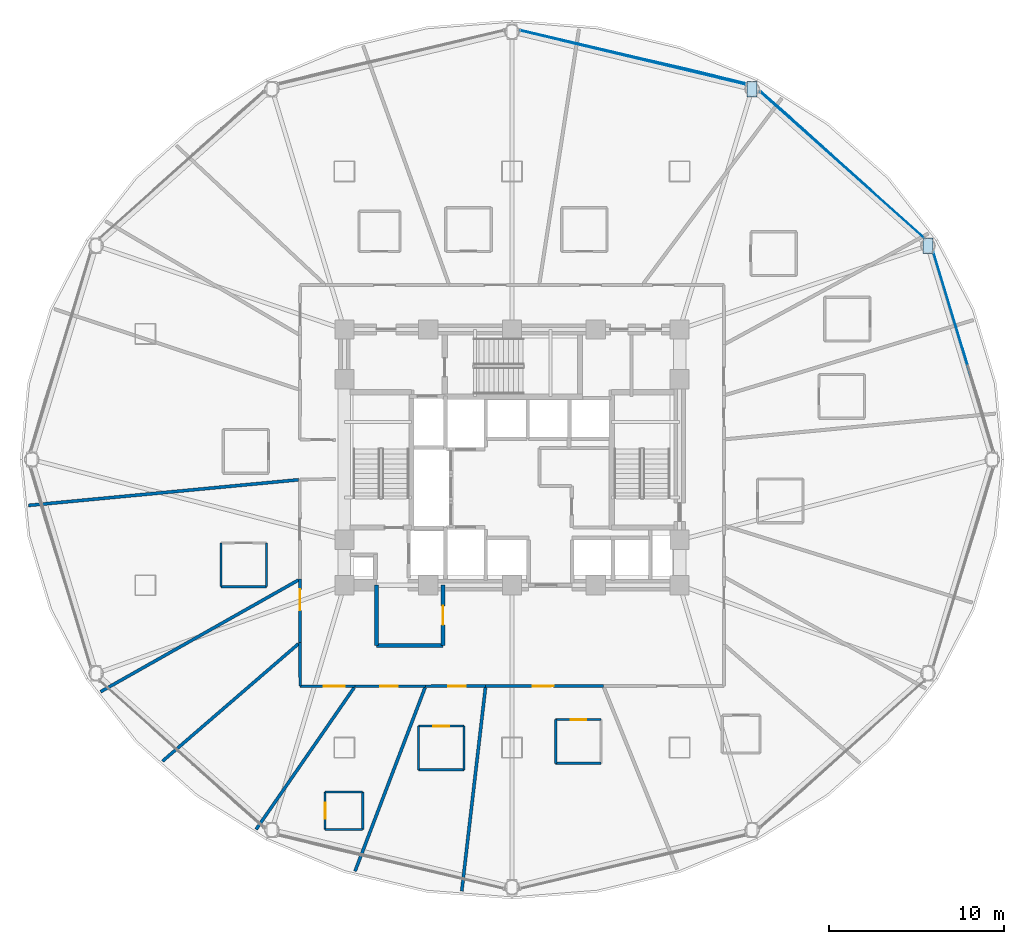
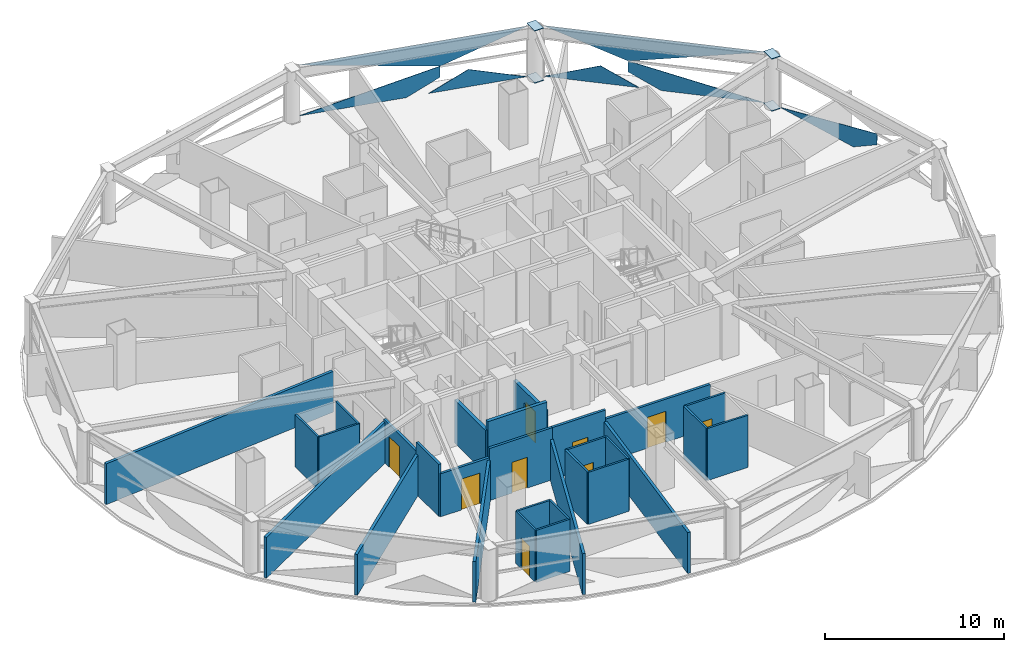
# One storey, part 21 of 30: 29 walls, 11 plates, 9 doors, 9 openings, 3 elements without a shape of their own.
"""IFC4 building model written with IfcOpenShell, lengths in metres."""

from ifc_helpers import new_model, si_unit, direction, frame, frame_2d, origin, place, context, subcontext, project, spatial, polyline, rectangle, outline, extrude, material, layer, layer_set, type_object, element, fill, aggregate, save


model = new_model("IFC4")

# Units and contexts
model_context = context("Model", 3, precision=1e-05, world=origin(), true_north=direction((0.0, 1.0)))
body_context = subcontext(model_context, "Body", "Model", "MODEL_VIEW")
ifc_project = project(units=[si_unit("LENGTHUNIT", "METRE"), si_unit("AREAUNIT", "SQUARE_METRE"), si_unit("VOLUMEUNIT", "CUBIC_METRE"), si_unit("PLANEANGLEUNIT", "RADIAN"), si_unit("MASSUNIT", "GRAM", prefix="KILO")], contexts=[model_context])

# Site, building, storey
site_placement = place(None, origin())
site = spatial("IfcSite", under=ifc_project, at=site_placement, CompositionType="ELEMENT")
building_placement = place(site_placement, origin())
building = spatial("IfcBuilding", under=site, at=building_placement, Name="Vantalir Tower", CompositionType="ELEMENT")
storey_placement = place(building_placement, frame((0.0, 0.0, 83.25)))
storey = spatial("IfcBuildingStorey", under=building, at=storey_placement, Name="L20", CompositionType="ELEMENT", Elevation=83.25)

# Curtain wall, plate
ifc_material_1 = material(Name="Champagne-silver PVDF aluminium and double-silver Low-E glass", Category="aluminium")
ifc_layer_1 = layer(ifc_material_1, 0.18994140625)
ifc_layer_set_1 = layer_set([ifc_layer_1], Name="Champagne-silver PVDF aluminium and double-silver Low-E glass")
curtain_wall_type = type_object("IfcCurtainWallType", Name="CW-DIAMOND-Z1", PredefinedType="USERDEFINED", material=ifc_layer_set_1)
curtain_wall_1_placement = place(storey_placement, origin())
curtain_wall_1 = element("IfcCurtainWall", 1, at=curtain_wall_1_placement, inside=storey, type_object=curtain_wall_type, Name="L20 Quilted Pyramid-Diamond Curtain Wall S01", ObjectType="UNITISED CURTAIN WALL", PredefinedType="USERDEFINED")
ifc_material_2 = material(Name="Double-silver Low-E laminated glass IGU", Category="glass")
ifc_layer_2 = layer(ifc_material_2, 0.028076171875)
ifc_layer_set_2 = layer_set([ifc_layer_2], Name="Double-silver Low-E laminated glass IGU")
plate_type_1 = type_object("IfcPlateType", Name="CWP-IGU-28", PredefinedType="CURTAIN_PANEL", material=ifc_layer_set_2)
plate_1_placement = place(storey_placement, frame((57.23095703125, 31.517578125, 0.04638671875), z_axis=(-0.957578742178, -0.287846468105, 0.013688072475), x_axis=(-0.287873440575, 0.957668461531, -2.09266e-07)))
plate_1 = element("IfcPlate", 2, at=plate_1_placement, type_object=plate_type_1, Name="CW-L20-S01 Pyramid Diamond Facet 1L", PredefinedType="CURTAIN_PANEL", context=body_context, shape_type="SweptSolid", body=[
    extrude(outline(polyline([(0.0, 0.0), (5.597064399587824, 6.938893903907228e-18), (-1.788829022005973, -1.727212222603705), (-1.7885894680065146, -0.9937438981254719), (0.0, 0.0)])), origin(), (0.0, 0.0, -1.0), 0.028076171875),
])
aggregate(curtain_wall_1, [plate_1])

# Curtain wall, plates
curtain_wall_2_placement = place(storey_placement, origin())
curtain_wall_2 = element("IfcCurtainWall", 3, at=curtain_wall_2_placement, inside=storey, type_object=curtain_wall_type, Name="L20 Quilted Pyramid-Diamond Curtain Wall S02", ObjectType="UNITISED CURTAIN WALL", PredefinedType="USERDEFINED")
plate_2_placement = place(storey_placement, frame((55.117919921875, 37.664794921875, 0.04638671875), z_axis=(-0.665413720799, -0.746346969178, 0.01381237749), x_axis=(-0.746418173633, 0.665477204771, 4.696e-08)))
plate_2 = element("IfcPlate", 4, at=plate_2_placement, type_object=plate_type_1, Name="CW-L20-S02 Pyramid Diamond Facet 1L", PredefinedType="CURTAIN_PANEL", context=body_context, shape_type="SweptSolid", body=[
    extrude(outline(polyline([(0.0, 0.0), (5.930358135075642, 6.938893903907228e-18), (7.8095279131649065, -0.9905726449986574), (7.809462050423596, -1.7274596253965182), (0.0, 0.0)])), origin(), (0.0, 0.0, -1.0), 0.028076171875),
])
plate_3_placement = place(storey_placement, frame((49.768798828125, 42.476806640625, 0.0458984375), z_axis=(-0.665405108948, -0.746355021701, 0.013792119775), x_axis=(-0.746425603867, 0.665468869188, 4.5101245e-05)))
plate_3 = element("IfcPlate", 5, at=plate_3_placement, type_object=plate_type_1, Name="CW-L20-S02 Pyramid Diamond Facet 1L Infill Light", PredefinedType="CURTAIN_PANEL", context=body_context, shape_type="SweptSolid", body=[
    extrude(outline(polyline([(0.0, 0.0), (5.41316820165072, -1.599198204416119e-18), (2.1965663180227155, -1.1579700589344415), (0.0, 0.0)])), origin(), (0.0, 0.0, -1.0), 0.028076171875),
])
plate_4_placement = place(storey_placement, frame((45.70703125, 46.055419921875, 3.5234375), z_axis=(0.665424845169, 0.746338025674, 0.013759609903), x_axis=(0.74640850916, -0.665488044279, 1.9363595e-05)))
plate_4 = element("IfcPlate", 6, at=plate_4_placement, type_object=plate_type_1, Name="CW-L20-S02 Pyramid Diamond Facet 2U", PredefinedType="CURTAIN_PANEL", context=body_context, shape_type="SweptSolid", body=[
    extrude(outline(polyline([(0.0, 0.0), (12.608228009702824, -2.211772431870429e-17), (4.798732249241381, 1.727307222853719), (0.0, 0.0)])), origin(), (0.0, 0.0, -1.0), 0.028076171875),
])
aggregate(curtain_wall_2, [plate_2, plate_3, plate_4])

curtain_wall_3_placement = place(storey_placement, origin())
curtain_wall_3 = element("IfcCurtainWall", 7, at=curtain_wall_3_placement, inside=storey, type_object=curtain_wall_type, Name="L20 Quilted Pyramid-Diamond Curtain Wall S03", ObjectType="UNITISED CURTAIN WALL", PredefinedType="USERDEFINED")
plate_5_placement = place(storey_placement, frame((38.047607421875, 48.12109375, 0.04638671875), z_axis=(-0.232281713056, -0.972552925951, 0.013638621756), x_axis=(-0.972643514802, 0.232302801509, -3.9043328e-05)))
plate_5 = element("IfcPlate", 8, at=plate_5_placement, type_object=plate_type_1, Name="CW-L20-S03 Pyramid Diamond Facet 1L", PredefinedType="CURTAIN_PANEL", context=body_context, shape_type="SweptSolid", body=[
    extrude(outline(polyline([(0.0, 0.0), (6.246823008812021, 4.1470733097570545e-18), (-1.9736324664793066, -1.7276226933881977), (-1.973735191324312, -0.9924471318850434), (0.0, 0.0)])), origin(), (0.0, 0.0, -1.0), 0.028076171875),
])
plate_6_placement = place(storey_placement, frame((44.880859375, 46.521728515625, 0.0458984375), z_axis=(-0.232310272364, -0.972545196224, 0.01370323522), x_axis=(-0.972636520701, 0.232332086892, 0.0)))
plate_6 = element("IfcPlate", 9, at=plate_6_placement, type_object=plate_type_1, Name="CW-L20-S03 Pyramid Diamond Facet 1L Infill Light", PredefinedType="CURTAIN_PANEL", context=body_context, shape_type="SweptSolid", body=[
    extrude(outline(polyline([(0.0, 0.0), (5.704934995658698, -3.469446951953614e-18), (3.3936830503407838, -1.1624626635871735), (0.0, 0.0)])), origin(), (0.0, 0.0, -1.0), 0.028076171875),
])
plate_7_placement = place(storey_placement, frame((31.9716796875, 49.572265625, 3.523681640625), z_axis=(0.232292947005, 0.972549578868, 0.013685883798), x_axis=(0.972640672594, -0.232314704693, 0.0)))
plate_7 = element("IfcPlate", 10, at=plate_7_placement, type_object=plate_type_1, Name="CW-L20-S03 Pyramid Diamond Facet 2U", PredefinedType="CURTAIN_PANEL", context=body_context, shape_type="SweptSolid", body=[
    extrude(outline(polyline([(0.0, 0.0), (13.264519664513143, 0.0), (8.22038773440094, 1.7277008722142413), (0.0, 0.0)])), origin(), (0.0, 0.0, -1.0), 0.028076171875),
])
aggregate(curtain_wall_3, [plate_5, plate_6, plate_7])

# Plates
ifc_material_3 = material(Name="Steel S460", Category="steel")
ifc_layer_3 = layer(ifc_material_3, 0.035888671875)
ifc_layer_set_3 = layer_set([ifc_layer_3], Name="Steel S460")
plate_type_2 = type_object("IfcPlateType", Name="PLT-KN-Z2", PredefinedType="USERDEFINED", material=ifc_layer_set_3)
for number, where, z_axis, x_axis, name in (
    (11, (55.02587890625, 37.68701171875, 3.597900390625), (0.0, 0.0, 1.0), (0.0, -1.0, 0.0), "L20 Ring Column Top Cap RC02"),
    (12, (55.02587890625, 37.68701171875, 0.052978515625), (0.0, 0.0, 1.0), (0.0, -1.0, 0.0), "L20 Ring Column Base Cap RC02"),
    (13, (44.9599609375, 46.653076171875, 3.597900390625), (0.0, 0.0, 1.0), (0.0, -1.0, 0.0), "L20 Ring Column Top Cap RC03"),
    (14, (44.9599609375, 46.653076171875, 0.052978515625), (0.0, 0.0, 1.0), (0.0, -1.0, 0.0), "L20 Ring Column Base Cap RC03"),
):
    element("IfcPlate", number, at=place(storey_placement, frame(where, z_axis=z_axis, x_axis=x_axis)), inside=storey, type_object=plate_type_2, Name=name, ObjectType="FLANGE_PLATE", PredefinedType="USERDEFINED", context=body_context, shape_type="SweptSolid", body=[
        extrude(outline(polyline([(0.0, 0.0), (0.880126953125, 0.0), (0.880126953125, 0.580078125), (0.0, 0.580078125), (0.0, 0.0)])), origin(), (0.0, 0.0, -1.0), 0.035888671875),
    ])

# Walls
ifc_material_4 = material(Name="Moisture-resistant en-suite partition", Category="gypsum")
ifc_layer_4 = layer(ifc_material_4, 0.125)
ifc_layer_set_4 = layer_set([ifc_layer_4], Name="Moisture-resistant en-suite partition")
wall_type_1 = type_object("IfcWallType", Name="WL-BATH-125", PredefinedType="PARTITIONING", material=ifc_layer_set_4)
wall_1_placement = place(storey_placement, frame((14.837890625, 17.718994140625, 0.0), z_axis=(0.0, 0.0, 1.0), x_axis=(1.0, 0.0, 0.0)))
element("IfcWall", 15, at=wall_1_placement, inside=storey, type_object=wall_type_1, Name="L20 En-suite 10 South Wall", PredefinedType="PARTITIONING", context=body_context, shape_type="SweptSolid", body=[
    extrude(rectangle(XDim=2.60009765625, YDim=0.125, at=frame_2d((1.300048828125, 0.0))), origin(), (0.0, 0.0, 1.0), 3.550048828125),
])
for number, where, z_axis, x_axis, name in (
    (16, (14.837890625, 17.718994140625, 0.0), (0.0, 0.0, 1.0), (0.0, 1.0, 0.0), "L20 En-suite 10 West Wall"),
    (17, (17.43798828125, 17.718994140625, 0.0), (0.0, 0.0, 1.0), (0.0, 1.0, 0.0), "L20 En-suite 10 East Wall"),
):
    element("IfcWall", number, at=place(storey_placement, frame(where, z_axis=z_axis, x_axis=x_axis)), inside=storey, type_object=wall_type_1, Name=name, PredefinedType="PARTITIONING", context=body_context, shape_type="SweptSolid", body=[
        extrude(rectangle(XDim=2.5, YDim=0.125, at=frame_2d((1.25, 0.0))), origin(), (0.0, 0.0, 1.0), 3.550048828125),
    ])
for number, where, z_axis, x_axis, name in (
    (18, (20.800048828125, 3.805908203125, 0.0), (0.0, 0.0, 1.0), (1.0, 0.0, 0.0), "L20 En-suite 13 South Wall"),
    (19, (20.800048828125, 5.9560546875, 0.0), (0.0, 0.0, 1.0), (1.0, 0.0, 0.0), "L20 En-suite 13 North Wall"),
):
    element("IfcWall", number, at=place(storey_placement, frame(where, z_axis=z_axis, x_axis=x_axis)), inside=storey, type_object=wall_type_1, Name=name, PredefinedType="PARTITIONING", context=body_context, shape_type="SweptSolid", body=[
        extrude(rectangle(XDim=2.14990234375, YDim=0.125, at=frame_2d((1.074951171875, 0.0))), origin(), (0.0, 0.0, 1.0), 3.550048828125),
    ])

# Wall, opening, door
wall_2_placement = place(storey_placement, frame((20.800048828125, 3.805908203125, 0.0), z_axis=(0.0, 0.0, 1.0), x_axis=(0.0, 1.0, 0.0)))
wall_2 = element("IfcWall", 20, at=wall_2_placement, inside=storey, type_object=wall_type_1, Name="L20 En-suite 13 West Wall", PredefinedType="PARTITIONING", context=body_context, shape_type="SweptSolid", body=[
    extrude(rectangle(XDim=2.150146484375, YDim=0.125, at=frame_2d((1.0751953125, 0.0))), origin(), (0.0, 0.0, 1.0), 3.550048828125),
])
opening_1_placement = place(wall_2_placement, frame((0.625, 0.0, 0.0)))
opening_1 = element("IfcOpeningElement", 21, at=opening_1_placement, cuts=wall_2, Name="Opening D-WC", PredefinedType="OPENING", context=body_context, shape_type="SweptSolid", body=[
    extrude(rectangle(XDim=0.89990234375, YDim=2.10009765625, at=frame_2d((0.449951171875, 1.050048828125))), frame((0.0, 0.072509765625, 0.0), z_axis=(0.0, -1.0, 0.0), x_axis=(1.0, 0.0, 0.0)), (0.0, 0.0, 1.0), 0.14501953125),
])
ifc_material_5 = material(Name="Moisture-resistant hardwood door", Category="wood")
door_type_1 = type_object("IfcDoorType", Name="DR-ENSUITE-900", OperationType="NOTDEFINED", PredefinedType="DOOR", material=ifc_material_5)
door_1_placement = place(opening_1_placement, frame((0.89990234375, 0.0, 0.0), z_axis=(0.0, 0.0, 1.0), x_axis=(-1.0, 0.0, 0.0)))
door_1 = element("IfcDoor", 22, at=door_1_placement, inside=storey, type_object=door_type_1, Name="L20 En-suite 13 Door", OperationType="SINGLE_SWING_RIGHT", OverallHeight=2.10009765625, OverallWidth=0.89990234375, PredefinedType="DOOR", context=body_context, shape_type="SweptSolid", body=[
    extrude(rectangle(XDim=0.89990234375, YDim=2.10009765625, at=frame_2d((0.449951171875, 1.050048828125))), frame((0.0, 0.02490234375, 0.0), z_axis=(0.0, -1.0, 0.0), x_axis=(1.0, 0.0, 0.0)), (0.0, 0.0, 1.0), 0.050048828125),
])
fill(opening_1, door_1)

# Walls
wall_3_placement = place(storey_placement, frame((22.949951171875, 3.805908203125, 0.0), z_axis=(0.0, 0.0, 1.0), x_axis=(0.0, 1.0, 0.0)))
element("IfcWall", 23, at=wall_3_placement, inside=storey, type_object=wall_type_1, Name="L20 En-suite 13 East Wall", PredefinedType="PARTITIONING", context=body_context, shape_type="SweptSolid", body=[
    extrude(rectangle(XDim=2.150146484375, YDim=0.125, at=frame_2d((1.0751953125, 0.0))), origin(), (0.0, 0.0, 1.0), 3.550048828125),
])
wall_4_placement = place(storey_placement, frame((26.14404296875, 7.23095703125, 0.0), z_axis=(0.0, 0.0, 1.0), x_axis=(1.0, 0.0, 0.0)))
element("IfcWall", 24, at=wall_4_placement, inside=storey, type_object=wall_type_1, Name="L20 En-suite 14 South Wall", PredefinedType="PARTITIONING", context=body_context, shape_type="SweptSolid", body=[
    extrude(rectangle(XDim=2.599853515625, YDim=0.125, at=frame_2d((1.2998046875, 0.0))), origin(), (0.0, 0.0, 1.0), 3.550048828125),
])

# Wall, opening, door
wall_5_placement = place(storey_placement, frame((26.14404296875, 9.73095703125, 0.0), z_axis=(0.0, 0.0, 1.0), x_axis=(1.0, 0.0, 0.0)))
wall_5 = element("IfcWall", 25, at=wall_5_placement, inside=storey, type_object=wall_type_1, Name="L20 En-suite 14 North Wall", PredefinedType="PARTITIONING", context=body_context, shape_type="SweptSolid", body=[
    extrude(rectangle(XDim=2.599853515625, YDim=0.125, at=frame_2d((1.2998046875, 0.0))), origin(), (0.0, 0.0, 1.0), 3.550048828125),
])
opening_2_placement = place(wall_5_placement, frame((0.85009765625, 0.0, 0.0)))
opening_2 = element("IfcOpeningElement", 26, at=opening_2_placement, cuts=wall_5, Name="Opening D-WC", PredefinedType="OPENING", context=body_context, shape_type="SweptSolid", body=[
    extrude(rectangle(XDim=0.89990234375, YDim=2.10009765625, at=frame_2d((0.449951171875, 1.050048828125))), frame((0.0, 0.072509765625, 0.0), z_axis=(0.0, -1.0, 0.0), x_axis=(1.0, 0.0, 0.0)), (0.0, 0.0, 1.0), 0.14501953125),
])
door_2_placement = place(opening_2_placement, frame((0.89990234375, 0.0, 0.0), z_axis=(0.0, 0.0, 1.0), x_axis=(-1.0, 0.0, 0.0)))
door_2 = element("IfcDoor", 27, at=door_2_placement, inside=storey, type_object=door_type_1, Name="L20 En-suite 14 Door", OperationType="SINGLE_SWING_LEFT", OverallHeight=2.10009765625, OverallWidth=0.89990234375, PredefinedType="DOOR", context=body_context, shape_type="SweptSolid", body=[
    extrude(rectangle(XDim=0.89990234375, YDim=2.10009765625, at=frame_2d((0.449951171875, 1.050048828125))), frame((0.0, 0.02490234375, 0.0), z_axis=(0.0, -1.0, 0.0), x_axis=(1.0, 0.0, 0.0)), (0.0, 0.0, 1.0), 0.050048828125),
])
fill(opening_2, door_2)

# Walls
for number, where, z_axis, x_axis, name in (
    (28, (26.14404296875, 7.23095703125, 0.0), (0.0, 0.0, 1.0), (0.0, 1.0, 0.0), "L20 En-suite 14 West Wall"),
    (29, (28.743896484375, 7.23095703125, 0.0), (0.0, 0.0, 1.0), (0.0, 1.0, 0.0), "L20 En-suite 14 East Wall"),
):
    element("IfcWall", number, at=place(storey_placement, frame(where, z_axis=z_axis, x_axis=x_axis)), inside=storey, type_object=wall_type_1, Name=name, PredefinedType="PARTITIONING", context=body_context, shape_type="SweptSolid", body=[
        extrude(rectangle(XDim=2.5, YDim=0.125, at=frame_2d((1.25, 0.0))), origin(), (0.0, 0.0, 1.0), 3.550048828125),
    ])
wall_6_placement = place(storey_placement, frame((34.0029296875, 7.60595703125, 0.0), z_axis=(0.0, 0.0, 1.0), x_axis=(1.0, 0.0, 0.0)))
element("IfcWall", 30, at=wall_6_placement, inside=storey, type_object=wall_type_1, Name="L20 En-suite 15 South Wall", PredefinedType="PARTITIONING", context=body_context, shape_type="SweptSolid", body=[
    extrude(rectangle(XDim=2.60009765625, YDim=0.125, at=frame_2d((1.300048828125, 0.0))), origin(), (0.0, 0.0, 1.0), 3.550048828125),
])

# Wall, opening, door
wall_7_placement = place(storey_placement, frame((34.0029296875, 10.10595703125, 0.0), z_axis=(0.0, 0.0, 1.0), x_axis=(1.0, 0.0, 0.0)))
wall_7 = element("IfcWall", 31, at=wall_7_placement, inside=storey, type_object=wall_type_1, Name="L20 En-suite 15 North Wall", PredefinedType="PARTITIONING", context=body_context, shape_type="SweptSolid", body=[
    extrude(rectangle(XDim=2.60009765625, YDim=0.125, at=frame_2d((1.300048828125, 0.0))), origin(), (0.0, 0.0, 1.0), 3.550048828125),
])
opening_3_placement = place(wall_7_placement, frame((0.85009765625, 0.0, 0.0)))
opening_3 = element("IfcOpeningElement", 32, at=opening_3_placement, cuts=wall_7, Name="Opening D-WC", PredefinedType="OPENING", context=body_context, shape_type="SweptSolid", body=[
    extrude(rectangle(XDim=0.89990234375, YDim=2.10009765625, at=frame_2d((0.449951171875, 1.050048828125))), frame((0.0, 0.072509765625, 0.0), z_axis=(0.0, -1.0, 0.0), x_axis=(1.0, 0.0, 0.0)), (0.0, 0.0, 1.0), 0.14501953125),
])
door_3_placement = place(opening_3_placement, frame((0.89990234375, 0.0, 0.0), z_axis=(0.0, 0.0, 1.0), x_axis=(-1.0, 0.0, 0.0)))
door_3 = element("IfcDoor", 33, at=door_3_placement, inside=storey, type_object=door_type_1, Name="L20 En-suite 15 Door", OperationType="SINGLE_SWING_RIGHT", OverallHeight=2.10009765625, OverallWidth=0.89990234375, PredefinedType="DOOR", context=body_context, shape_type="SweptSolid", body=[
    extrude(rectangle(XDim=0.89990234375, YDim=2.10009765625, at=frame_2d((0.449951171875, 1.050048828125))), frame((0.0, 0.02490234375, 0.0), z_axis=(0.0, -1.0, 0.0), x_axis=(1.0, 0.0, 0.0)), (0.0, 0.0, 1.0), 0.050048828125),
])
fill(opening_3, door_3)

# Wall
wall_8_placement = place(storey_placement, frame((34.0029296875, 7.60595703125, 0.0), z_axis=(0.0, 0.0, 1.0), x_axis=(0.0, 1.0, 0.0)))
element("IfcWall", 34, at=wall_8_placement, inside=storey, type_object=wall_type_1, Name="L20 En-suite 15 West Wall", PredefinedType="PARTITIONING", context=body_context, shape_type="SweptSolid", body=[
    extrude(rectangle(XDim=2.5, YDim=0.125, at=frame_2d((1.25, 0.0))), origin(), (0.0, 0.0, 1.0), 3.550048828125),
])

# Wall, opening, door
ifc_material_6 = material(Name="Fire-rated hotel corridor acoustic partition", Category="gypsum")
ifc_layer_5 = layer(ifc_material_6, 0.159912109375)
ifc_layer_set_5 = layer_set([ifc_layer_5], Name="Fire-rated hotel corridor acoustic partition")
wall_type_2 = type_object("IfcWallType", Name="WL-CORR-160", PredefinedType="PARTITIONING", material=ifc_layer_set_5)
wall_9_placement = place(storey_placement, frame((36.72705078125, 12.029052734375, 0.0), z_axis=(0.0, 0.0, 1.0), x_axis=(-0.999999710434, -0.000761007209, 0.0)))
wall_9 = element("IfcWall", 35, at=wall_9_placement, inside=storey, type_object=wall_type_2, Name="L20 Corridor Partition 18", PredefinedType="PARTITIONING", context=body_context, shape_type="SweptSolid", body=[
    extrude(rectangle(XDim=6.737060546875, YDim=0.159912109375, at=frame_2d((3.36865234375, 0.0))), origin(), (0.0, 0.0, 1.0), 2.927978515625),
])
opening_4_placement = place(wall_9_placement, frame((2.843017578125, 0.0, 0.0)))
opening_4 = element("IfcOpeningElement", 36, at=opening_4_placement, cuts=wall_9, Name="Opening D-STE", PredefinedType="OPENING", context=body_context, shape_type="SweptSolid", body=[
    extrude(rectangle(XDim=1.199951171875, YDim=2.10009765625, at=frame_2d((0.60009765625, 1.050048828125))), frame((0.0, 0.08984375, 0.0), z_axis=(0.0, -1.0, 0.0), x_axis=(1.0, 0.0, 0.0)), (0.0, 0.0, 1.0), 0.179931640625),
])
ifc_material_7 = material(Name="Solid-core teak veneer suite entrance door", Category="wood")
door_type_2 = type_object("IfcDoorType", Name="DR-SUITE-ENTRY-1200", OperationType="NOTDEFINED", PredefinedType="DOOR", material=ifc_material_7)
door_4_placement = place(opening_4_placement, origin())
door_4 = element("IfcDoor", 37, at=door_4_placement, inside=storey, type_object=door_type_2, Name="L20 Corner Panorama Hotel Suite 15 Door", OperationType="SINGLE_SWING_RIGHT", OverallHeight=2.10009765625, OverallWidth=1.199951171875, PredefinedType="DOOR", context=body_context, shape_type="SweptSolid", body=[
    extrude(rectangle(XDim=1.199951171875, YDim=2.10009765625, at=frame_2d((0.60009765625, 1.050048828125))), frame((0.0, 0.02490234375, 0.0), z_axis=(0.0, -1.0, 0.0), x_axis=(1.0, 0.0, 0.0)), (0.0, 0.0, 1.0), 0.050048828125),
])
fill(opening_4, door_4)

wall_10_placement = place(storey_placement, frame((29.989990234375, 12.02392578125, 0.0), z_axis=(0.0, 0.0, 1.0), x_axis=(-0.999999838631, -0.00056810103, 0.0)))
wall_10 = element("IfcWall", 38, at=wall_10_placement, inside=storey, type_object=wall_type_2, Name="L20 Corridor Partition 19", PredefinedType="PARTITIONING", context=body_context, shape_type="SweptSolid", body=[
    extrude(rectangle(XDim=3.43798828125, YDim=0.159912109375, at=frame_2d((1.718994140625, 0.0))), origin(), (0.0, 0.0, 1.0), 3.550048828125),
])
opening_5_placement = place(wall_10_placement, frame((1.14794921875, 0.0, 0.0)))
opening_5 = element("IfcOpeningElement", 39, at=opening_5_placement, cuts=wall_10, Name="Opening D-GUEST", PredefinedType="OPENING", context=body_context, shape_type="SweptSolid", body=[
    extrude(rectangle(XDim=1.0, YDim=2.10009765625, at=frame_2d((0.5, 1.050048828125))), frame((0.0, 0.08984375, 0.0), z_axis=(0.0, -1.0, 0.0), x_axis=(1.0, 0.0, 0.0)), (0.0, 0.0, 1.0), 0.179931640625),
])
ifc_material_8 = material(Name="Solid-core teak veneer acoustic fire door", Category="wood")
door_type_3 = type_object("IfcDoorType", Name="DR-GUEST-ENTRY-1000", OperationType="NOTDEFINED", PredefinedType="DOOR", material=ifc_material_8)
door_5_placement = place(opening_5_placement, origin())
door_5 = element("IfcDoor", 40, at=door_5_placement, inside=storey, type_object=door_type_3, Name="L20 Twin Queen Hotel Room 14 Door", OperationType="SINGLE_SWING_LEFT", OverallHeight=2.10009765625, OverallWidth=1.0, PredefinedType="DOOR", context=body_context, shape_type="SweptSolid", body=[
    extrude(rectangle(XDim=1.0, YDim=2.10009765625, at=frame_2d((0.5, 1.050048828125))), frame((0.0, 0.02490234375, 0.0), z_axis=(0.0, -1.0, 0.0), x_axis=(1.0, 0.0, 0.0)), (0.0, 0.0, 1.0), 0.050048828125),
])
fill(opening_5, door_5)

wall_11_placement = place(storey_placement, frame((26.552001953125, 12.02197265625, 0.0), z_axis=(0.0, 0.0, 1.0), x_axis=(-0.999999736017, -0.000726611979, 0.0)))
wall_11 = element("IfcWall", 41, at=wall_11_placement, inside=storey, type_object=wall_type_2, Name="L20 Corridor Partition 20", PredefinedType="PARTITIONING", context=body_context, shape_type="SweptSolid", body=[
    extrude(rectangle(XDim=4.031982421875, YDim=0.159912109375, at=frame_2d((2.01611328125, 0.0))), origin(), (0.0, 0.0, 1.0), 3.550048828125),
])
opening_6_placement = place(wall_11_placement, frame((1.5869140625, 0.0, 0.0)))
opening_6 = element("IfcOpeningElement", 42, at=opening_6_placement, cuts=wall_11, Name="Opening D-GUEST", PredefinedType="OPENING", context=body_context, shape_type="SweptSolid", body=[
    extrude(rectangle(XDim=1.0, YDim=2.10009765625, at=frame_2d((0.5, 1.050048828125))), frame((0.0, 0.08984375, 0.0), z_axis=(0.0, -1.0, 0.0), x_axis=(1.0, 0.0, 0.0)), (0.0, 0.0, 1.0), 0.179931640625),
])
door_6_placement = place(opening_6_placement, origin())
door_6 = element("IfcDoor", 43, at=door_6_placement, inside=storey, type_object=door_type_3, Name="L20 Deluxe King Hotel Room 13 Door", OperationType="SINGLE_SWING_RIGHT", OverallHeight=2.10009765625, OverallWidth=1.0, PredefinedType="DOOR", context=body_context, shape_type="SweptSolid", body=[
    extrude(rectangle(XDim=1.0, YDim=2.10009765625, at=frame_2d((0.5, 1.050048828125))), frame((0.0, 0.02490234375, 0.0), z_axis=(0.0, -1.0, 0.0), x_axis=(1.0, 0.0, 0.0)), (0.0, 0.0, 1.0), 0.050048828125),
])
fill(opening_6, door_6)

wall_12_placement = place(storey_placement, frame((22.52001953125, 12.01904296875, 0.0), z_axis=(0.0, 0.0, 1.0), x_axis=(-0.999999807912, -0.000619818584, 0.0)))
wall_12 = element("IfcWall", 44, at=wall_12_placement, inside=storey, type_object=wall_type_2, Name="L20 Corridor Partition 21", PredefinedType="PARTITIONING", context=body_context, shape_type="SweptSolid", body=[
    extrude(rectangle(XDim=3.151123046875, YDim=0.159912109375, at=frame_2d((1.57568359375, 0.0))), origin(), (0.0, 0.0, 1.0), 2.927978515625),
])
opening_7_placement = place(wall_12_placement, frame((0.60498046875, 0.0, 0.0)))
opening_7 = element("IfcOpeningElement", 45, at=opening_7_placement, cuts=wall_12, Name="Opening D-STE", PredefinedType="OPENING", context=body_context, shape_type="SweptSolid", body=[
    extrude(rectangle(XDim=1.199951171875, YDim=2.10009765625, at=frame_2d((0.60009765625, 1.050048828125))), frame((0.0, 0.08984375, 0.0), z_axis=(0.0, -1.0, 0.0), x_axis=(1.0, 0.0, 0.0)), (0.0, 0.0, 1.0), 0.179931640625),
])
door_7_placement = place(opening_7_placement, origin())
door_7 = element("IfcDoor", 46, at=door_7_placement, inside=storey, type_object=door_type_2, Name="L20 Club Reading Lounge 12 Door", OperationType="SINGLE_SWING_LEFT", OverallHeight=2.10009765625, OverallWidth=1.199951171875, PredefinedType="DOOR", context=body_context, shape_type="SweptSolid", body=[
    extrude(rectangle(XDim=1.199951171875, YDim=2.10009765625, at=frame_2d((0.60009765625, 1.050048828125))), frame((0.0, 0.02490234375, 0.0), z_axis=(0.0, -1.0, 0.0), x_axis=(1.0, 0.0, 0.0)), (0.0, 0.0, 1.0), 0.050048828125),
])
fill(opening_7, door_7)

# Wall
wall_13_placement = place(storey_placement, frame((19.368896484375, 12.01708984375, 0.0), z_axis=(0.0, 0.0, 1.0), x_axis=(-0.001947036808, 0.999998104522, 0.0)))
element("IfcWall", 47, at=wall_13_placement, inside=storey, type_object=wall_type_2, Name="L20 Corridor Partition 22", PredefinedType="PARTITIONING", context=body_context, shape_type="SweptSolid", body=[
    extrude(rectangle(XDim=2.5078125, YDim=0.159912109375, at=frame_2d((1.25390625, 0.0))), origin(), (0.0, 0.0, 1.0), 3.550048828125),
])

# Wall, opening, door
wall_14_placement = place(storey_placement, frame((19.364013671875, 14.52490234375, 0.0), z_axis=(0.0, 0.0, 1.0), x_axis=(-0.001685087928, 0.999998580238, 0.0)))
wall_14 = element("IfcWall", 48, at=wall_14_placement, inside=storey, type_object=wall_type_2, Name="L20 Corridor Partition 23", PredefinedType="PARTITIONING", context=body_context, shape_type="SweptSolid", body=[
    extrude(rectangle(XDim=3.6220703125, YDim=0.159912109375, at=frame_2d((1.81103515625, 0.0))), origin(), (0.0, 0.0, 1.0), 2.927978515625),
])
opening_8_placement = place(wall_14_placement, frame((1.842041015625, 0.0, 0.0)))
opening_8 = element("IfcOpeningElement", 49, at=opening_8_placement, cuts=wall_14, Name="Opening D-STE", PredefinedType="OPENING", context=body_context, shape_type="SweptSolid", body=[
    extrude(rectangle(XDim=1.199951171875, YDim=2.10009765625, at=frame_2d((0.60009765625, 1.050048828125))), frame((0.0, 0.08984375, 0.0), z_axis=(0.0, -1.0, 0.0), x_axis=(1.0, 0.0, 0.0)), (0.0, 0.0, 1.0), 0.179931640625),
])
door_8_placement = place(opening_8_placement, origin())
door_8 = element("IfcDoor", 50, at=door_8_placement, inside=storey, type_object=door_type_2, Name="L20 Club Reading Lounge 11 Door", OperationType="SINGLE_SWING_RIGHT", OverallHeight=2.10009765625, OverallWidth=1.199951171875, PredefinedType="DOOR", context=body_context, shape_type="SweptSolid", body=[
    extrude(rectangle(XDim=1.199951171875, YDim=2.10009765625, at=frame_2d((0.60009765625, 1.050048828125))), frame((0.0, 0.02490234375, 0.0), z_axis=(0.0, -1.0, 0.0), x_axis=(1.0, 0.0, 0.0)), (0.0, 0.0, 1.0), 0.050048828125),
])
fill(opening_8, door_8)

# Walls
ifc_material_9 = material(Name="Concrete blockwork with fireboard lining", Category="masonry")
ifc_layer_6 = layer(ifc_material_9, 0.219970703125)
ifc_layer_set_6 = layer_set([ifc_layer_6], Name="Concrete blockwork with fireboard lining")
wall_type_3 = type_object("IfcWallType", Name="WL-FFL-220", PredefinedType="PARTITIONING", material=ifc_layer_set_6)
wall_15_placement = place(storey_placement, frame((23.75, 14.35009765625, 0.0), z_axis=(0.0, 0.0, 1.0), x_axis=(0.0, 1.0, 0.0)))
element("IfcWall", 51, at=wall_15_placement, inside=storey, type_object=wall_type_3, Name="L20 Firefighting Lobby West Outer W", PredefinedType="PARTITIONING", context=body_context, shape_type="SweptSolid", body=[
    extrude(rectangle(XDim=3.449951171875, YDim=0.219970703125, at=frame_2d((1.72509765625, 0.0))), origin(), (0.0, 0.0, 1.0), 2.927978515625),
])
wall_16_placement = place(storey_placement, frame((23.75, 14.35009765625, 0.0), z_axis=(0.0, 0.0, 1.0), x_axis=(1.0, 0.0, 0.0)))
element("IfcWall", 52, at=wall_16_placement, inside=storey, type_object=wall_type_3, Name="L20 Firefighting Lobby West South Wall", PredefinedType="PARTITIONING", context=body_context, shape_type="SweptSolid", body=[
    extrude(rectangle(XDim=3.800048828125, YDim=0.219970703125, at=frame_2d((1.89990234375, 0.0))), origin(), (0.0, 0.0, 1.0), 3.550048828125),
])

# Wall, opening, door
wall_17_placement = place(storey_placement, frame((27.550048828125, 14.35009765625, 0.0), z_axis=(0.0, 0.0, 1.0), x_axis=(0.0, 1.0, 0.0)))
wall_17 = element("IfcWall", 53, at=wall_17_placement, inside=storey, type_object=wall_type_3, Name="L20 Firefighting Lobby West East Wall", PredefinedType="PARTITIONING", context=body_context, shape_type="SweptSolid", body=[
    extrude(rectangle(XDim=3.449951171875, YDim=0.219970703125, at=frame_2d((1.72509765625, 0.0))), origin(), (0.0, 0.0, 1.0), 2.927978515625),
])
opening_9_placement = place(wall_17_placement, frame((1.175048828125, 0.0, 0.0)))
opening_9 = element("IfcOpeningElement", 54, at=opening_9_placement, cuts=wall_17, Name="Opening D-FFL", PredefinedType="OPENING", context=body_context, shape_type="SweptSolid", body=[
    extrude(rectangle(XDim=1.10009765625, YDim=2.10009765625, at=frame_2d((0.550048828125, 1.050048828125))), frame((0.0, 0.119873046875, 0.0), z_axis=(0.0, -1.0, 0.0), x_axis=(1.0, 0.0, 0.0)), (0.0, 0.0, 1.0), 0.239990234375),
])
ifc_material_10 = material(Name="Fire-rated acoustic steel door", Category="steel")
door_type_4 = type_object("IfcDoorType", Name="DR-FIRE-LOBBY-1100", OperationType="NOTDEFINED", PredefinedType="DOOR", material=ifc_material_10)
door_9_placement = place(opening_9_placement, origin())
door_9 = element("IfcDoor", 55, at=door_9_placement, inside=storey, type_object=door_type_4, Name="L20 Firefighting Lobby West Access Door", OperationType="SINGLE_SWING_LEFT", OverallHeight=2.10009765625, OverallWidth=1.10009765625, PredefinedType="DOOR", context=body_context, shape_type="SweptSolid", body=[
    extrude(rectangle(XDim=1.10009765625, YDim=2.10009765625, at=frame_2d((0.550048828125, 1.050048828125))), frame((0.0, 0.02490234375, 0.0), z_axis=(0.0, -1.0, 0.0), x_axis=(1.0, 0.0, 0.0)), (0.0, 0.0, 1.0), 0.050048828125),
])
fill(opening_9, door_9)

# Walls
ifc_material_11 = material(Name="Twin-stud acoustic fire-rated gypsum partition", Category="gypsum")
ifc_layer_7 = layer(ifc_material_11, 0.179931640625)
ifc_layer_set_7 = layer_set([ifc_layer_7], Name="Twin-stud acoustic fire-rated gypsum partition")
wall_type_4 = type_object("IfcWallType", Name="WL-GUEST-180", PredefinedType="PARTITIONING", material=ifc_layer_set_7)
wall_18_placement = place(storey_placement, frame((19.27197265625, 23.839111328125, 0.0), z_axis=(0.0, 0.0, 1.0), x_axis=(-0.995524176843, -0.094507213062, 0.0)))
element("IfcWall", 56, at=wall_18_placement, inside=storey, type_object=wall_type_4, Name="L20 Radial Suite Partition 10", PredefinedType="PARTITIONING", context=body_context, shape_type="SweptSolid", body=[
    extrude(rectangle(XDim=15.533447265625, YDim=0.179931640625, at=frame_2d((7.7666015625, 0.0))), origin(), (0.0, 0.0, 1.0), 2.77490234375),
])
wall_19_placement = place(storey_placement, frame((19.27197265625, 18.09912109375, 0.0), z_axis=(0.0, 0.0, 1.0), x_axis=(-0.870816794363, -0.491607679614, 0.0)))
element("IfcWall", 57, at=wall_19_placement, inside=storey, type_object=wall_type_4, Name="L20 Radial Suite Partition 11", PredefinedType="PARTITIONING", context=body_context, shape_type="SweptSolid", body=[
    extrude(rectangle(XDim=13.0107421875, YDim=0.179931640625, at=frame_2d((6.50537109375, 0.0))), origin(), (0.0, 0.0, 1.0), 2.77490234375),
])
wall_20_placement = place(storey_placement, frame((19.27197265625, 14.446044921875, 0.0), z_axis=(0.0, 0.0, 1.0), x_axis=(-0.756957430289, -0.653464190855, 0.0)))
element("IfcWall", 58, at=wall_20_placement, inside=storey, type_object=wall_type_4, Name="L20 Radial Suite Partition 12", PredefinedType="PARTITIONING", context=body_context, shape_type="SweptSolid", body=[
    extrude(rectangle(XDim=10.2900390625, YDim=0.179931640625, at=frame_2d((5.14501953125, 0.0))), origin(), (0.0, 0.0, 1.0), 2.77490234375),
])
wall_21_placement = place(storey_placement, frame((22.462890625, 11.93798828125, 0.0), z_axis=(0.0, 0.0, 1.0), x_axis=(-0.568860087872, -0.822434313746, 0.0)))
element("IfcWall", 59, at=wall_21_placement, inside=storey, type_object=wall_type_4, Name="L20 Radial Suite Partition 13", PredefinedType="PARTITIONING", context=body_context, shape_type="SweptSolid", body=[
    extrude(rectangle(XDim=9.87060546875, YDim=0.179931640625, at=frame_2d((4.935302734375, 0.0))), origin(), (0.0, 0.0, 1.0), 2.77490234375),
])
wall_22_placement = place(storey_placement, frame((26.52001953125, 11.93798828125, 0.0), z_axis=(0.0, 0.0, 1.0), x_axis=(-0.356180272112, -0.934417258915, 0.0)))
element("IfcWall", 60, at=wall_22_placement, inside=storey, type_object=wall_type_4, Name="L20 Radial Suite Partition 14", PredefinedType="PARTITIONING", context=body_context, shape_type="SweptSolid", body=[
    extrude(rectangle(XDim=11.2529296875, YDim=0.179931640625, at=frame_2d((5.62646484375, 0.0))), origin(), (0.0, 0.0, 1.0), 2.77490234375),
])
wall_23_placement = place(storey_placement, frame((29.97998046875, 11.93798828125, 0.0), z_axis=(0.0, 0.0, 1.0), x_axis=(-0.115614932855, -0.993294109165, 0.0)))
element("IfcWall", 61, at=wall_23_placement, inside=storey, type_object=wall_type_4, Name="L20 Radial Suite Partition 15", PredefinedType="PARTITIONING", context=body_context, shape_type="SweptSolid", body=[
    extrude(rectangle(XDim=11.736572265625, YDim=0.179931640625, at=frame_2d((5.8681640625, 0.0))), origin(), (0.0, 0.0, 1.0), 2.77490234375),
])

save(model, "model.ifc")
